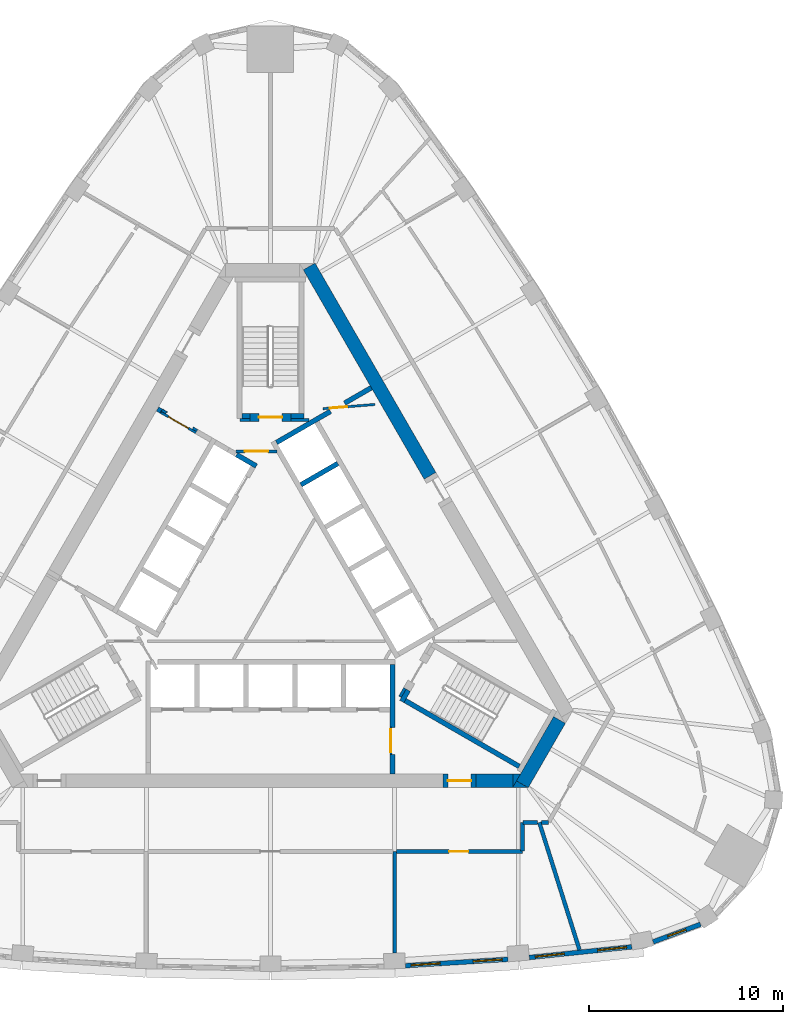
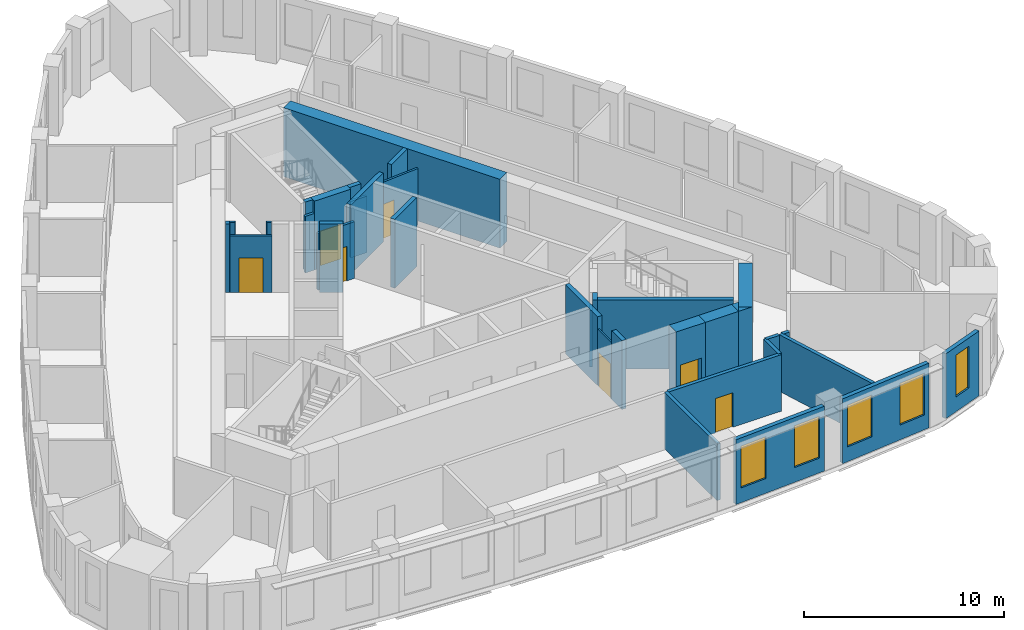
# One storey, part 6 of 11: 36 walls, 7 doors, 5 windows, 12 openings.
"""IFC4 building model written with IfcOpenShell, lengths in metres."""

from ifc_helpers import new_model, si_unit, direction, frame, frame_2d, origin, place, context, subcontext, project, spatial, polyline, rectangle, outline, extrude, material, layer, layer_set, type_object, element, fill, save


model = new_model("IFC4")

# Units and contexts
model_context = context("Model", 3, precision=1e-05, world=origin(), true_north=direction((0.0, 1.0)))
body_context = subcontext(model_context, "Body", "Model", "MODEL_VIEW")
ifc_project = project(units=[si_unit("LENGTHUNIT", "METRE"), si_unit("AREAUNIT", "SQUARE_METRE"), si_unit("VOLUMEUNIT", "CUBIC_METRE"), si_unit("PLANEANGLEUNIT", "RADIAN"), si_unit("MASSUNIT", "GRAM", prefix="KILO")], contexts=[model_context])

# Site, building, storey
site_placement = place(None, origin())
site = spatial("IfcSite", under=ifc_project, at=site_placement, CompositionType="ELEMENT")
building_placement = place(site_placement, origin())
building = spatial("IfcBuilding", under=site, at=building_placement, Name="Mestral Congress Tower", CompositionType="ELEMENT")
storey_placement = place(building_placement, frame((0.0, 0.0, 205.800048828125)))
storey = spatial("IfcBuildingStorey", under=building, at=storey_placement, Name="L48", CompositionType="ELEMENT", Elevation=205.800048828125)

# Walls
ifc_material_1 = material(Name="Fire-rated board partition")
ifc_layer_1 = layer(ifc_material_1, 0.14990234375)
ifc_layer_set_1 = layer_set([ifc_layer_1], Name="Fire-rated board partition")
wall_type_1 = type_object("IfcWallType", Name="Core partition 150", PredefinedType="PARTITIONING", material=ifc_layer_set_1)
wall_1_placement = place(storey_placement, frame((1.050048828125, 8.62548828125, 0.0), z_axis=(0.0, 0.0, 1.0), x_axis=(1.0, 0.0, 0.0)))
element("IfcWall", 1, at=wall_1_placement, inside=storey, type_object=wall_type_1, Name="L48 core wall", PredefinedType="PARTITIONING", context=body_context, shape_type="SweptSolid", body=[
    extrude(rectangle(XDim=0.9287109375, YDim=0.14990234375, at=frame_2d((0.46435546875, 0.0))), origin(), (0.0, 0.0, 1.0), 3.449951171875),
])
wall_2_placement = place(storey_placement, frame((-1.56396484375, 8.62548828125, 0.0), z_axis=(0.0, 0.0, 1.0), x_axis=(1.0, 0.0, 0.0)))
element("IfcWall", 2, at=wall_2_placement, inside=storey, type_object=wall_type_1, Name="L48 core wall", PredefinedType="PARTITIONING", context=body_context, shape_type="SweptSolid", body=[
    extrude(rectangle(XDim=0.513916015625, YDim=0.14990234375, at=frame_2d((0.2568359375, 0.0))), origin(), (0.0, 0.0, 1.0), 3.449951171875),
])
wall_3_placement = place(storey_placement, frame((6.68798828125, -5.667236328125, 0.0), z_axis=(0.0, 0.0, 1.0), x_axis=(0.499834152157, 0.86612113491, 0.0)))
element("IfcWall", 3, at=wall_3_placement, inside=storey, type_object=wall_type_1, Name="L48 core wall", PredefinedType="PARTITIONING", context=body_context, shape_type="SweptSolid", body=[
    extrude(rectangle(XDim=0.504638671875, YDim=0.14990234375, at=frame_2d((0.25244140625, 0.0))), origin(), (0.0, 0.0, 1.0), 3.449951171875),
])

# Wall, opening, door
wall_4_placement = place(storey_placement, frame((-1.765380859375, 7.0, 0.0), z_axis=(0.0, 0.0, 1.0), x_axis=(1.0, 0.0, 0.0)))
wall_4 = element("IfcWall", 4, at=wall_4_placement, inside=storey, type_object=wall_type_1, Name="L48 door wall", PredefinedType="PARTITIONING", context=body_context, shape_type="SweptSolid", body=[
    extrude(rectangle(XDim=2.10009765625, YDim=0.14990234375, at=frame_2d((1.050048828125, 0.0))), origin(), (0.0, 0.0, 1.0), 3.449951171875),
])
opening_1_placement = place(wall_4_placement, frame((0.449951171875, 0.0, 0.0)))
opening_1 = element("IfcOpeningElement", 5, at=opening_1_placement, cuts=wall_4, Name="Opening CD2-FF", PredefinedType="OPENING", context=body_context, shape_type="SweptSolid", body=[
    extrude(rectangle(XDim=1.199951171875, YDim=2.10009765625, at=frame_2d((0.60009765625, 1.050048828125))), frame((0.0, 0.0849609375, 0.0), z_axis=(0.0, -1.0, 0.0), x_axis=(1.0, 0.0, 0.0)), (0.0, 0.0, 1.0), 0.169921875),
])
ifc_material_2 = material(Name="Fire-rated steel door set", Category="steel")
door_type_1 = type_object("IfcDoorType", Name="Core door CD 1200x2100", OperationType="SINGLE_SWING_LEFT", PredefinedType="DOOR", material=ifc_material_2)
door_1_placement = place(opening_1_placement, origin())
door_1 = element("IfcDoor", 6, at=door_1_placement, inside=storey, type_object=door_type_1, Name="Door CD2-FF", OperationType="SINGLE_SWING_LEFT", OverallHeight=2.10009765625, OverallWidth=1.199951171875, PredefinedType="DOOR", context=body_context, shape_type="SweptSolid", body=[
    extrude(rectangle(XDim=1.199951171875, YDim=2.10009765625, at=frame_2d((0.60009765625, 1.050048828125))), frame((0.0, 0.02490234375, 0.0), z_axis=(0.0, -1.0, 0.0), x_axis=(1.0, 0.0, 0.0)), (0.0, 0.0, 1.0), 0.050048828125),
])
fill(opening_1, door_1)

ifc_layer_2 = layer(ifc_material_1, 0.1201171875)
ifc_layer_set_2 = layer_set([ifc_layer_2], Name="Fire-rated board partition")
wall_type_2 = type_object("IfcWallType", Name="Core partition 150 door-wall 120", PredefinedType="PARTITIONING", material=ifc_layer_set_2)
wall_5_placement = place(storey_placement, frame((5.3984375, 9.418701171875, 0.0), z_axis=(0.0, 0.0, 1.0), x_axis=(-0.996653416376, -0.081743303248, 0.0)))
wall_5 = element("IfcWall", 7, at=wall_5_placement, inside=storey, type_object=wall_type_2, Name="L48 door wall", PredefinedType="PARTITIONING", context=body_context, shape_type="SweptSolid", body=[
    extrude(rectangle(XDim=2.699951171875, YDim=0.119873046875, at=frame_2d((1.35009765625, 0.0))), origin(), (0.0, 0.0, 1.0), 3.449951171875),
])
opening_2_placement = place(wall_5_placement, frame((1.449951171875, 0.0, 0.0)))
opening_2 = element("IfcOpeningElement", 8, at=opening_2_placement, cuts=wall_5, Name="Opening TD2", PredefinedType="OPENING", context=body_context, shape_type="SweptSolid", body=[
    extrude(rectangle(XDim=0.89990234375, YDim=2.10009765625, at=frame_2d((0.449951171875, 1.050048828125))), frame((0.0, 0.06982421875, 0.0), z_axis=(0.0, -1.0, 0.0), x_axis=(1.0, 0.0, 0.0)), (0.0, 0.0, 1.0), 0.139892578125),
])
door_type_2 = type_object("IfcDoorType", Name="Core door SR 900x2100", OperationType="SINGLE_SWING_LEFT", PredefinedType="DOOR", material=ifc_material_2)
door_2_placement = place(opening_2_placement, origin())
door_2 = element("IfcDoor", 9, at=door_2_placement, inside=storey, type_object=door_type_2, Name="Door TD2", OperationType="SINGLE_SWING_LEFT", OverallHeight=2.10009765625, OverallWidth=0.89990234375, PredefinedType="DOOR", context=body_context, shape_type="SweptSolid", body=[
    extrude(rectangle(XDim=0.89990234375, YDim=2.10009765625, at=frame_2d((0.449951171875, 1.050048828125))), frame((0.0, 0.02490234375, 0.0), z_axis=(0.0, -1.0, 0.0), x_axis=(1.0, 0.0, 0.0)), (0.0, 0.0, 1.0), 0.050048828125),
])
fill(opening_2, door_2)

wall_6_placement = place(storey_placement, frame((-5.65869140625, 9.01171875, 0.0), z_axis=(0.0, 0.0, 1.0), x_axis=(0.866009402589, -0.500027713859, 0.0)))
wall_6 = element("IfcWall", 10, at=wall_6_placement, inside=storey, type_object=wall_type_2, Name="L48 door wall", PredefinedType="PARTITIONING", context=body_context, shape_type="SweptSolid", body=[
    extrude(rectangle(XDim=2.10009765625, YDim=0.1201171875, at=frame_2d((1.050048828125, 0.0))), origin(), (0.0, 0.0, 1.0), 3.449951171875),
])
opening_3_placement = place(wall_6_placement, frame((0.449951171875, 0.0, 0.0)))
opening_3 = element("IfcOpeningElement", 11, at=opening_3_placement, cuts=wall_6, Name="Opening LB2-WL2", PredefinedType="OPENING", context=body_context, shape_type="SweptSolid", body=[
    extrude(rectangle(XDim=1.199951171875, YDim=2.10009765625, at=frame_2d((0.60009765625, 1.050048828125))), frame((0.0, 0.070068359375, 0.0), z_axis=(0.0, -1.0, 0.0), x_axis=(1.0, 0.0, 0.0)), (0.0, 0.0, 1.0), 0.14013671875),
])
door_type_3 = type_object("IfcDoorType", Name="Core door LB 1200x2100", OperationType="SINGLE_SWING_LEFT", PredefinedType="DOOR", material=ifc_material_2)
door_3_placement = place(opening_3_placement, origin())
door_3 = element("IfcDoor", 12, at=door_3_placement, inside=storey, type_object=door_type_3, Name="Door LB2-WL2", OperationType="SINGLE_SWING_LEFT", OverallHeight=2.10009765625, OverallWidth=1.199951171875, PredefinedType="DOOR", context=body_context, shape_type="SweptSolid", body=[
    extrude(rectangle(XDim=1.199951171875, YDim=2.10009765625, at=frame_2d((0.60009765625, 1.050048828125))), frame((0.0, 0.02490234375, 0.0), z_axis=(0.0, -1.0, 0.0), x_axis=(1.0, 0.0, 0.0)), (0.0, 0.0, 1.0), 0.050048828125),
])
fill(opening_3, door_3)

ifc_layer_3 = layer(ifc_material_1, 0.090087890625)
ifc_layer_set_3 = layer_set([ifc_layer_3], Name="Fire-rated board partition")
wall_type_3 = type_object("IfcWallType", Name="Core partition 150 door-wall 90", PredefinedType="PARTITIONING", material=ifc_layer_set_3)
wall_7_placement = place(storey_placement, frame((6.219970703125, -7.23681640625, 0.0), z_axis=(0.0, 0.0, 1.0), x_axis=(0.0, -1.0, 0.0)))
wall_7 = element("IfcWall", 13, at=wall_7_placement, inside=storey, type_object=wall_type_3, Name="L48 door wall", PredefinedType="PARTITIONING", context=body_context, shape_type="SweptSolid", body=[
    extrude(rectangle(XDim=1.400146484375, YDim=0.090087890625, at=frame_2d((0.7001953125, 0.0))), origin(), (0.0, 0.0, 1.0), 3.449951171875),
])
opening_4_placement = place(wall_7_placement, frame((0.10009765625, 0.0, 0.0)))
opening_4 = element("IfcOpeningElement", 14, at=opening_4_placement, cuts=wall_7, Name="Opening LB0-WL1", PredefinedType="OPENING", context=body_context, shape_type="SweptSolid", body=[
    extrude(rectangle(XDim=1.199951171875, YDim=2.10009765625, at=frame_2d((0.60009765625, 1.050048828125))), frame((0.0, 0.054931640625, 0.0), z_axis=(0.0, -1.0, 0.0), x_axis=(1.0, 0.0, 0.0)), (0.0, 0.0, 1.0), 0.110107421875),
])
door_4_placement = place(opening_4_placement, origin())
door_4 = element("IfcDoor", 15, at=door_4_placement, inside=storey, type_object=door_type_3, Name="Door LB0-WL1", OperationType="SINGLE_SWING_LEFT", OverallHeight=2.10009765625, OverallWidth=1.199951171875, PredefinedType="DOOR", context=body_context, shape_type="SweptSolid", body=[
    extrude(rectangle(XDim=1.199951171875, YDim=2.10009765625, at=frame_2d((0.60009765625, 1.050048828125))), frame((0.0, 0.02490234375, 0.0), z_axis=(0.0, -1.0, 0.0), x_axis=(1.0, 0.0, 0.0)), (0.0, 0.0, 1.0), 0.050048828125),
])
fill(opening_4, door_4)

# Walls
ifc_material_3 = material(Name="Concrete C60/75", Category="concrete")
ifc_layer_4 = layer(ifc_material_3, 0.699951171875)
ifc_layer_set_4 = layer_set([ifc_layer_4], Name="Concrete C60/75")
wall_type_4 = type_object("IfcWallType", Name="Core wall RC 700", PredefinedType="SOLIDWALL", material=ifc_layer_set_4)
wall_8_placement = place(storey_placement, frame((13.002685546875, -10.1787109375, 0.0), z_axis=(0.0, 0.0, 1.0), x_axis=(0.499972675833, 0.866041178825, 0.0)))
element("IfcWall", 16, at=wall_8_placement, inside=storey, type_object=wall_type_4, Name="L48 core wall", PredefinedType="SOLIDWALL", context=body_context, shape_type="SweptSolid", body=[
    extrude(rectangle(XDim=3.828857421875, YDim=0.699951171875, at=frame_2d((1.91455078125, 0.0))), origin(), (0.0, 0.0, 1.0), 4.199951171875),
])
placement = place(storey_placement, origin())
element("IfcWall", 17, at=placement, inside=storey, type_object=wall_type_4, Name="L48 core wall", PredefinedType="SOLIDWALL", context=body_context, shape_type="SweptSolid", body=[
    extrude(outline(polyline([(12.698486328125, -10.00537109375), (13.295654296875, -10.35009765625), (12.49951171875, -10.35009765625), (12.698486328125, -10.00537109375)])), origin(), (0.0, 0.0, 1.0), 4.199951171875),
])
wall_10_placement = place(storey_placement, frame((10.6044921875, -10.0, 0.0), z_axis=(0.0, 0.0, 1.0), x_axis=(1.0, 0.0, 0.0)))
element("IfcWall", 18, at=wall_10_placement, inside=storey, type_object=wall_type_4, Name="L48 core wall", PredefinedType="SOLIDWALL", context=body_context, shape_type="SweptSolid", body=[
    extrude(rectangle(XDim=1.909423828125, YDim=0.699951171875, at=frame_2d((0.95458984375, 0.0))), origin(), (0.0, 0.0, 1.0), 4.199951171875),
])
element("IfcWall", 19, at=placement, inside=storey, type_object=wall_type_4, Name="L48 core wall", PredefinedType="SOLIDWALL", context=body_context, shape_type="SweptSolid", body=[
    extrude(outline(polyline([(12.90380859375, -9.64990234375), (12.515869140625, -10.322021484375), (12.515869140625, -9.64990234375), (12.90380859375, -9.64990234375)])), origin(), (0.0, 0.0, 1.0), 4.199951171875),
])
wall_12_placement = place(storey_placement, frame((8.235107421875, 5.736083984375, 0.0), z_axis=(0.0, 0.0, 1.0), x_axis=(-0.499983401189, 0.8660349869, 0.0)))
element("IfcWall", 20, at=wall_12_placement, inside=storey, type_object=wall_type_4, Name="L48 core wall", PredefinedType="SOLIDWALL", context=body_context, shape_type="SweptSolid", body=[
    extrude(rectangle(XDim=12.47216796875, YDim=0.699951171875, at=frame_2d((6.236083984375, 0.0))), origin(), (0.0, 0.0, 1.0), 4.199951171875),
])

# Wall, opening, door
wall_13_placement = place(storey_placement, frame((10.6044921875, -10.0, 0.0), z_axis=(0.0, 0.0, 1.0), x_axis=(-1.0, 0.0, 0.0)))
wall_13 = element("IfcWall", 21, at=wall_13_placement, inside=storey, type_object=wall_type_4, Name="L48 door wall", PredefinedType="SOLIDWALL", context=body_context, shape_type="SweptSolid", body=[
    extrude(rectangle(XDim=1.699951171875, YDim=0.699951171875, at=frame_2d((0.85009765625, 0.0))), origin(), (0.0, 0.0, 1.0), 4.199951171875),
])
opening_5_placement = place(wall_13_placement, frame((0.25, 0.0, 0.0)))
opening_5 = element("IfcOpeningElement", 22, at=opening_5_placement, cuts=wall_13, Name="Opening XD1", PredefinedType="OPENING", context=body_context, shape_type="SweptSolid", body=[
    extrude(rectangle(XDim=1.199951171875, YDim=2.10009765625, at=frame_2d((0.60009765625, 1.050048828125))), frame((0.0, 0.35986328125, 0.0), z_axis=(0.0, -1.0, 0.0), x_axis=(1.0, 0.0, 0.0)), (0.0, 0.0, 1.0), 0.719970703125),
])
door_type_4 = type_object("IfcDoorType", Name="Core door XD 1200x2100", OperationType="SINGLE_SWING_LEFT", PredefinedType="DOOR", material=ifc_material_2)
door_5_placement = place(opening_5_placement, origin())
door_5 = element("IfcDoor", 23, at=door_5_placement, inside=storey, type_object=door_type_4, Name="Door XD1", OperationType="SINGLE_SWING_LEFT", OverallHeight=2.10009765625, OverallWidth=1.199951171875, PredefinedType="DOOR", context=body_context, shape_type="SweptSolid", body=[
    extrude(rectangle(XDim=1.199951171875, YDim=2.10009765625, at=frame_2d((0.60009765625, 1.050048828125))), frame((0.0, 0.02490234375, 0.0), z_axis=(0.0, -1.0, 0.0), x_axis=(1.0, 0.0, 0.0)), (0.0, 0.0, 1.0), 0.050048828125),
])
fill(opening_5, door_5)

# Wall, openings, windows
ifc_material_4 = material(Name="Precast concrete C40/50 with limestone facing", Category="masonry")
ifc_layer_5 = layer(ifc_material_4, 0.239990234375)
ifc_layer_set_5 = layer_set([ifc_layer_5], Name="Precast concrete C40/50 with limestone facing")
wall_type_5 = type_object("IfcWallType", Name="Facade stone wall 240", PredefinedType="SOLIDWALL", material=ifc_layer_set_5)
wall_14_placement = place(storey_placement, frame((6.965087890625, -19.54296875, 0.0), z_axis=(0.0, 0.0, 1.0), x_axis=(0.9980633213, 0.062206162685, 0.0)))
wall_14 = element("IfcWall", 24, at=wall_14_placement, inside=storey, type_object=wall_type_5, Name="Facade wall F0-04", PredefinedType="SOLIDWALL", context=body_context, shape_type="SweptSolid", body=[
    extrude(rectangle(XDim=5.29833984375, YDim=0.239990234375, at=frame_2d((2.649169921875, 0.0))), origin(), (0.0, 0.0, 1.0), 3.949951171875),
])
opening_6_placement = place(wall_14_placement, frame((0.294677734375, 0.0, 0.89990234375)))
opening_6 = element("IfcOpeningElement", 25, at=opening_6_placement, cuts=wall_14, Name="Opening W4", PredefinedType="OPENING", context=body_context, shape_type="SweptSolid", body=[
    extrude(rectangle(XDim=1.5, YDim=2.550048828125, at=frame_2d((0.75, 1.27490234375))), frame((0.0, 0.1298828125, 0.0), z_axis=(0.0, -1.0, 0.0), x_axis=(1.0, 0.0, 0.0)), (0.0, 0.0, 1.0), 0.260009765625),
])
opening_7_placement = place(wall_14_placement, frame((3.503662109375, 0.0, 0.89990234375)))
opening_7 = element("IfcOpeningElement", 26, at=opening_7_placement, cuts=wall_14, Name="Opening W4", PredefinedType="OPENING", context=body_context, shape_type="SweptSolid", body=[
    extrude(rectangle(XDim=1.5, YDim=2.550048828125, at=frame_2d((0.75, 1.27490234375))), frame((0.0, 0.1298828125, 0.0), z_axis=(0.0, -1.0, 0.0), x_axis=(1.0, 0.0, 0.0)), (0.0, 0.0, 1.0), 0.260009765625),
])
ifc_material_5 = material(Name="Clear low-emissivity double glazing", Category="glass")
window_type_1 = type_object("IfcWindowType", Name="Facade punched window 1500 x 2550 sill 900", PartitioningType="SINGLE_PANEL", PredefinedType="WINDOW", material=ifc_material_5)
window_1_placement = place(opening_6_placement, origin())
window_1 = element("IfcWindow", 27, at=window_1_placement, inside=storey, type_object=window_type_1, Name="Window F0-04a", OverallHeight=2.550048828125, OverallWidth=1.5, PartitioningType="SINGLE_PANEL", PredefinedType="WINDOW", context=body_context, shape_type="SweptSolid", body=[
    extrude(rectangle(XDim=1.5, YDim=2.550048828125, at=frame_2d((0.75, 1.27490234375))), frame((0.0, 0.0400390625, 0.0), z_axis=(0.0, -1.0, 0.0), x_axis=(1.0, 0.0, 0.0)), (0.0, 0.0, 1.0), 0.06005859375),
])
fill(opening_6, window_1)
window_2_placement = place(opening_7_placement, origin())
window_2 = element("IfcWindow", 28, at=window_2_placement, inside=storey, type_object=window_type_1, Name="Window F0-04b", OverallHeight=2.550048828125, OverallWidth=1.5, PartitioningType="SINGLE_PANEL", PredefinedType="WINDOW", context=body_context, shape_type="SweptSolid", body=[
    extrude(rectangle(XDim=1.5, YDim=2.550048828125, at=frame_2d((0.75, 1.27490234375))), frame((0.0, 0.0400390625, 0.0), z_axis=(0.0, -1.0, 0.0), x_axis=(1.0, 0.0, 0.0)), (0.0, 0.0, 1.0), 0.06005859375),
])
fill(opening_7, window_2)

wall_15_placement = place(storey_placement, frame((13.362060546875, -19.12109375, 0.0), z_axis=(0.0, 0.0, 1.0), x_axis=(0.994621961215, 0.103571976272, 0.0)))
wall_15 = element("IfcWall", 29, at=wall_15_placement, inside=storey, type_object=wall_type_5, Name="Facade wall F0-05", PredefinedType="SOLIDWALL", context=body_context, shape_type="SweptSolid", body=[
    extrude(rectangle(XDim=5.310791015625, YDim=0.239990234375, at=frame_2d((2.6552734375, 0.0))), origin(), (0.0, 0.0, 1.0), 3.949951171875),
])
opening_8_placement = place(wall_15_placement, frame((0.306396484375, 0.0, 0.89990234375)))
opening_8 = element("IfcOpeningElement", 30, at=opening_8_placement, cuts=wall_15, Name="Opening W4", PredefinedType="OPENING", context=body_context, shape_type="SweptSolid", body=[
    extrude(rectangle(XDim=1.5, YDim=2.550048828125, at=frame_2d((0.75, 1.27490234375))), frame((0.0, 0.1298828125, 0.0), z_axis=(0.0, -1.0, 0.0), x_axis=(1.0, 0.0, 0.0)), (0.0, 0.0, 1.0), 0.260009765625),
])
opening_9_placement = place(wall_15_placement, frame((3.539306640625, 0.0, 0.89990234375)))
opening_9 = element("IfcOpeningElement", 31, at=opening_9_placement, cuts=wall_15, Name="Opening W4", PredefinedType="OPENING", context=body_context, shape_type="SweptSolid", body=[
    extrude(rectangle(XDim=1.5, YDim=2.550048828125, at=frame_2d((0.75, 1.27490234375))), frame((0.0, 0.1298828125, 0.0), z_axis=(0.0, -1.0, 0.0), x_axis=(1.0, 0.0, 0.0)), (0.0, 0.0, 1.0), 0.260009765625),
])
window_3_placement = place(opening_8_placement, origin())
window_3 = element("IfcWindow", 32, at=window_3_placement, inside=storey, type_object=window_type_1, Name="Window F0-05a", OverallHeight=2.550048828125, OverallWidth=1.5, PartitioningType="SINGLE_PANEL", PredefinedType="WINDOW", context=body_context, shape_type="SweptSolid", body=[
    extrude(rectangle(XDim=1.5, YDim=2.550048828125, at=frame_2d((0.75, 1.27490234375))), frame((0.0, 0.0400390625, 0.0), z_axis=(0.0, -1.0, 0.0), x_axis=(1.0, 0.0, 0.0)), (0.0, 0.0, 1.0), 0.06005859375),
])
fill(opening_8, window_3)
window_4_placement = place(opening_9_placement, origin())
window_4 = element("IfcWindow", 33, at=window_4_placement, inside=storey, type_object=window_type_1, Name="Window F0-05b", OverallHeight=2.550048828125, OverallWidth=1.5, PartitioningType="SINGLE_PANEL", PredefinedType="WINDOW", context=body_context, shape_type="SweptSolid", body=[
    extrude(rectangle(XDim=1.5, YDim=2.550048828125, at=frame_2d((0.75, 1.27490234375))), frame((0.0, 0.0400390625, 0.0), z_axis=(0.0, -1.0, 0.0), x_axis=(1.0, 0.0, 0.0)), (0.0, 0.0, 1.0), 0.06005859375),
])
fill(opening_9, window_4)

# Wall, opening, window
wall_16_placement = place(storey_placement, frame((19.747802734375, -18.31396484375, 0.0), z_axis=(0.0, 0.0, 1.0), x_axis=(0.937569171184, 0.347798863203, 0.0)))
wall_16 = element("IfcWall", 34, at=wall_16_placement, inside=storey, type_object=wall_type_5, Name="Facade wall K0-0", PredefinedType="SOLIDWALL", context=body_context, shape_type="SweptSolid", body=[
    extrude(rectangle(XDim=2.609130859375, YDim=0.239990234375, at=frame_2d((1.3046875, 0.0))), origin(), (0.0, 0.0, 1.0), 3.949951171875),
])
opening_10_placement = place(wall_16_placement, frame((0.8046875, 0.0, 0.89990234375)))
opening_10 = element("IfcOpeningElement", 35, at=opening_10_placement, cuts=wall_16, Name="Opening W5", PredefinedType="OPENING", context=body_context, shape_type="SweptSolid", body=[
    extrude(rectangle(XDim=1.0, YDim=2.550048828125, at=frame_2d((0.5, 1.27490234375))), frame((0.0, 0.1298828125, 0.0), z_axis=(0.0, -1.0, 0.0), x_axis=(1.0, 0.0, 0.0)), (0.0, 0.0, 1.0), 0.260009765625),
])
window_type_2 = type_object("IfcWindowType", Name="Facade punched window 1000 x 2550 sill 900", PartitioningType="SINGLE_PANEL", PredefinedType="WINDOW", material=ifc_material_5)
window_5_placement = place(opening_10_placement, origin())
window_5 = element("IfcWindow", 36, at=window_5_placement, inside=storey, type_object=window_type_2, Name="Window K0-0", OverallHeight=2.550048828125, OverallWidth=1.0, PartitioningType="SINGLE_PANEL", PredefinedType="WINDOW", context=body_context, shape_type="SweptSolid", body=[
    extrude(rectangle(XDim=1.0, YDim=2.550048828125, at=frame_2d((0.5, 1.27490234375))), frame((0.0, 0.0400390625, 0.0), z_axis=(0.0, -1.0, 0.0), x_axis=(1.0, 0.0, 0.0)), (0.0, 0.0, 1.0), 0.06005859375),
])
fill(opening_10, window_5)

# Walls
ifc_material_6 = material(Name="Dense masonry wall, plastered", Category="masonry")
ifc_layer_6 = layer(ifc_material_6, 0.199951171875)
ifc_layer_set_6 = layer_set([ifc_layer_6], Name="Dense masonry wall, plastered")
wall_type_6 = type_object("IfcWallType", Name="Office tenancy wall 200", PredefinedType="PARTITIONING", material=ifc_layer_set_6)
wall_17_placement = place(storey_placement, frame((6.416748046875, -13.64990234375, 0.0), z_axis=(0.0, 0.0, 1.0), x_axis=(0.0, -1.0, 0.0)))
element("IfcWall", 37, at=wall_17_placement, inside=storey, type_object=wall_type_6, Name="Tenancy wall", PredefinedType="PARTITIONING", context=body_context, shape_type="SweptSolid", body=[
    extrude(rectangle(XDim=5.246826171875, YDim=0.199951171875, at=frame_2d((2.62353515625, 0.0))), origin(), (0.0, 0.0, 1.0), 3.449951171875),
])
wall_18_placement = place(storey_placement, frame((13.875244140625, -12.14990234375, 0.0), z_axis=(0.0, 0.0, 1.0), x_axis=(0.3005606746, -0.953762696316, 0.0)))
element("IfcWall", 38, at=wall_18_placement, inside=storey, type_object=wall_type_6, Name="Tenancy wall", PredefinedType="PARTITIONING", context=body_context, shape_type="SweptSolid", body=[
    extrude(rectangle(XDim=6.900390625, YDim=0.199951171875, at=frame_2d((3.4501953125, 0.0))), origin(), (0.0, 0.0, 1.0), 3.449951171875),
])

# Wall, opening, door
wall_19_placement = place(storey_placement, frame((6.516845703125, -13.64990234375, 0.0), z_axis=(0.0, 0.0, 1.0), x_axis=(1.0, 0.0, 0.0)))
wall_19 = element("IfcWall", 39, at=wall_19_placement, inside=storey, type_object=wall_type_6, Name="Tenancy wall", PredefinedType="PARTITIONING", context=body_context, shape_type="SweptSolid", body=[
    extrude(rectangle(XDim=6.483154296875, YDim=0.199951171875, at=frame_2d((3.24169921875, 0.0))), origin(), (0.0, 0.0, 1.0), 3.449951171875),
])
opening_11_placement = place(wall_19_placement, frame((2.699951171875, 0.0, 0.0)))
opening_11 = element("IfcOpeningElement", 40, at=opening_11_placement, cuts=wall_19, Name="Opening O06-003", PredefinedType="OPENING", context=body_context, shape_type="SweptSolid", body=[
    extrude(rectangle(XDim=1.0, YDim=2.10009765625, at=frame_2d((0.5, 1.050048828125))), frame((0.0, 0.10986328125, 0.0), z_axis=(0.0, -1.0, 0.0), x_axis=(1.0, 0.0, 0.0)), (0.0, 0.0, 1.0), 0.219970703125),
])
ifc_material_7 = material(Name="Fire-rated timber door set", Category="wood")
door_type_5 = type_object("IfcDoorType", Name="Office tenancy entrance door 1000x2100", OperationType="SINGLE_SWING_LEFT", PredefinedType="DOOR", material=ifc_material_7)
door_6_placement = place(opening_11_placement, origin())
door_6 = element("IfcDoor", 41, at=door_6_placement, inside=storey, type_object=door_type_5, Name="Door O06-003", OperationType="SINGLE_SWING_LEFT", OverallHeight=2.10009765625, OverallWidth=1.0, PredefinedType="DOOR", context=body_context, shape_type="SweptSolid", body=[
    extrude(rectangle(XDim=1.0, YDim=2.10009765625, at=frame_2d((0.5, 1.050048828125))), frame((0.0, 0.02490234375, 0.0), z_axis=(0.0, -1.0, 0.0), x_axis=(1.0, 0.0, 0.0)), (0.0, 0.0, 1.0), 0.050048828125),
])
fill(opening_11, door_6)

# Walls
wall_20_placement = place(storey_placement, frame((13.0, -13.6201171875, 0.0), z_axis=(0.0, 0.0, 1.0), x_axis=(0.0, 1.0, 0.0)))
element("IfcWall", 42, at=wall_20_placement, inside=storey, type_object=wall_type_6, Name="Tenancy wall", PredefinedType="PARTITIONING", context=body_context, shape_type="SweptSolid", body=[
    extrude(rectangle(XDim=1.47021484375, YDim=0.199951171875, at=frame_2d((0.735107421875, 0.0))), origin(), (0.0, 0.0, 1.0), 3.449951171875),
])
wall_21_placement = place(storey_placement, frame((13.030029296875, -12.14990234375, 0.0), z_axis=(0.0, 0.0, 1.0), x_axis=(1.0, 0.0, 0.0)))
element("IfcWall", 43, at=wall_21_placement, inside=storey, type_object=wall_type_6, Name="Tenancy wall", PredefinedType="PARTITIONING", context=body_context, shape_type="SweptSolid", body=[
    extrude(rectangle(XDim=0.740234375, YDim=0.199951171875, at=frame_2d((0.3701171875, 0.0))), origin(), (0.0, 0.0, 1.0), 3.449951171875),
])
wall_22_placement = place(storey_placement, frame((13.97998046875, -12.14990234375, 0.0), z_axis=(0.0, 0.0, 1.0), x_axis=(1.0, 0.0, 0.0)))
element("IfcWall", 44, at=wall_22_placement, inside=storey, type_object=wall_type_6, Name="Tenancy wall", PredefinedType="PARTITIONING", context=body_context, shape_type="SweptSolid", body=[
    extrude(rectangle(XDim=0.3671875, YDim=0.199951171875, at=frame_2d((0.18359375, 0.0))), origin(), (0.0, 0.0, 1.0), 3.449951171875),
])
ifc_layer_7 = layer(ifc_material_3, 0.25)
ifc_layer_set_7 = layer_set([ifc_layer_7], Name="Concrete C60/75")
wall_type_7 = type_object("IfcWallType", Name="Shaft wall RC 250", PredefinedType="SOLIDWALL", material=ifc_layer_set_7)
wall_23_placement = place(storey_placement, frame((6.300048828125, -7.239990234375, 0.0), z_axis=(0.0, 0.0, 1.0), x_axis=(0.0, 1.0, 0.0)))
element("IfcWall", 45, at=wall_23_placement, inside=storey, type_object=wall_type_7, Name="L48 core wall", PredefinedType="SOLIDWALL", context=body_context, shape_type="SweptSolid", body=[
    extrude(rectangle(XDim=3.239990234375, YDim=0.25, at=frame_2d((1.6201171875, 0.0))), origin(), (0.0, 0.0, 1.0), 4.199951171875),
])
wall_24_placement = place(storey_placement, frame((6.300048828125, -9.64990234375, 0.0), z_axis=(0.0, 0.0, 1.0), x_axis=(0.0, 1.0, 0.0)))
element("IfcWall", 46, at=wall_24_placement, inside=storey, type_object=wall_type_7, Name="L48 core wall", PredefinedType="SOLIDWALL", context=body_context, shape_type="SweptSolid", body=[
    extrude(rectangle(XDim=1.0078125, YDim=0.25, at=frame_2d((0.50390625, 0.0))), origin(), (0.0, 0.0, 1.0), 4.199951171875),
])
wall_25_placement = place(storey_placement, frame((3.10009765625, 9.064453125, 0.0), z_axis=(0.0, 0.0, 1.0), x_axis=(-0.866030133475, -0.499991807846, 0.0)))
element("IfcWall", 47, at=wall_25_placement, inside=storey, type_object=wall_type_7, Name="L48 core wall", PredefinedType="SOLIDWALL", context=body_context, shape_type="SweptSolid", body=[
    extrude(rectangle(XDim=3.216796875, YDim=0.25, at=frame_2d((1.6083984375, 0.0))), origin(), (0.0, 0.0, 1.0), 4.199951171875),
])
wall_26_placement = place(storey_placement, frame((1.57421875, 5.273681640625, 0.0), z_axis=(0.0, 0.0, 1.0), x_axis=(0.866028486751, 0.499994660107, 0.0)))
element("IfcWall", 48, at=wall_26_placement, inside=storey, type_object=wall_type_7, Name="L48 core wall", PredefinedType="SOLIDWALL", context=body_context, shape_type="SweptSolid", body=[
    extrude(rectangle(XDim=2.19970703125, YDim=0.25, at=frame_2d((1.099853515625, 0.0))), origin(), (0.0, 0.0, 1.0), 4.199951171875),
])
wall_27_placement = place(storey_placement, frame((3.82958984375, 9.485595703125, 0.0), z_axis=(0.0, 0.0, 1.0), x_axis=(0.865986202621, 0.500067892261, 0.0)))
element("IfcWall", 49, at=wall_27_placement, inside=storey, type_object=wall_type_7, Name="L48 core wall", PredefinedType="SOLIDWALL", context=body_context, shape_type="SweptSolid", body=[
    extrude(rectangle(XDim=1.590576171875, YDim=0.25, at=frame_2d((0.79541015625, 0.0))), origin(), (0.0, 0.0, 1.0), 4.199951171875),
])
wall_28_placement = place(storey_placement, frame((-0.7275390625, 6.23974609375, 0.0), z_axis=(0.0, 0.0, 1.0), x_axis=(-0.866002680491, 0.500039355833, 0.0)))
element("IfcWall", 50, at=wall_28_placement, inside=storey, type_object=wall_type_7, Name="L48 core wall", PredefinedType="SOLIDWALL", context=body_context, shape_type="SweptSolid", body=[
    extrude(rectangle(XDim=1.17822265625, YDim=0.25, at=frame_2d((0.589111328125, 0.0))), origin(), (0.0, 0.0, 1.0), 4.199951171875),
])
wall_29_placement = place(storey_placement, frame((-5.62939453125, 9.06982421875, 0.0), z_axis=(0.0, 0.0, 1.0), x_axis=(-0.866185586049, 0.49972245349, 0.0)))
element("IfcWall", 51, at=wall_29_placement, inside=storey, type_object=wall_type_7, Name="L48 core wall", PredefinedType="SOLIDWALL", context=body_context, shape_type="SweptSolid", body=[
    extrude(rectangle(XDim=0.2197265625, YDim=0.25, at=frame_2d((0.10986328125, 0.0))), origin(), (0.0, 0.0, 1.0), 4.199951171875),
])
element("IfcWall", 52, at=placement, inside=storey, type_object=wall_type_7, Name="L48 core wall", PredefinedType="SOLIDWALL", context=body_context, shape_type="SweptSolid", body=[
    extrude(outline(polyline([(-3.748291015625, 8.128173828125), (-3.813232421875, 8.015380859375), (-4.026611328125, 8.138671875), (-4.0166015625, 8.156005859375), (-4.007568359375, 8.17333984375), (-4.000244140625, 8.191650390625), (-3.994873046875, 8.21044921875), (-3.991455078125, 8.229736328125), (-3.98974609375, 8.24951171875), (-3.989990234375, 8.267822265625), (-3.748291015625, 8.128173828125)])), origin(), (0.0, 0.0, 1.0), 4.199951171875),
])
element("IfcWall", 53, at=placement, inside=storey, type_object=wall_type_7, Name="L48 core wall", PredefinedType="SOLIDWALL", context=body_context, shape_type="SweptSolid", body=[
    extrude(outline(polyline([(-5.688720703125, 8.959716796875), (-5.690185546875, 8.960693359375), (-5.565185546875, 9.177001953125), (-5.318603515625, 9.03466796875), (-5.334716796875, 9.02587890625), (-5.3505859375, 9.0146484375), (-5.36572265625, 9.001953125), (-5.37939453125, 8.98779296875), (-5.3916015625, 8.972412109375), (-5.402099609375, 8.955810546875), (-5.412109375, 8.938720703125), (-5.628662109375, 9.063720703125), (-5.628662109375, 9.063720703125), (-5.688720703125, 8.959716796875)])), origin(), (0.0, 0.0, 1.0), 4.199951171875),
])
ifc_layer_8 = layer(ifc_material_3, 0.25)
ifc_layer_set_8 = layer_set([ifc_layer_8], Name="Concrete C60/75")
wall_type_8 = type_object("IfcWallType", Name="Stair wall RC 250", PredefinedType="SOLIDWALL", material=ifc_layer_set_8)
wall_32_placement = place(storey_placement, frame((12.83984375, -9.2607421875, 0.0), z_axis=(0.0, 0.0, 1.0), x_axis=(-0.866013990052, 0.500019768644, 0.0)))
element("IfcWall", 54, at=wall_32_placement, inside=storey, type_object=wall_type_8, Name="L48 core wall", PredefinedType="SOLIDWALL", context=body_context, shape_type="SweptSolid", body=[
    extrude(rectangle(XDim=6.800048828125, YDim=0.25, at=frame_2d((3.39990234375, 0.0))), origin(), (0.0, 0.0, 1.0), 4.199951171875),
])
wall_33_placement = place(storey_placement, frame((7.11279296875, -5.330078125, 0.0), z_axis=(0.0, 0.0, 1.0), x_axis=(-0.499965889992, -0.866045096311, 0.0)))
element("IfcWall", 55, at=wall_33_placement, inside=storey, type_object=wall_type_8, Name="L48 core wall", PredefinedType="SOLIDWALL", context=body_context, shape_type="SweptSolid", body=[
    extrude(rectangle(XDim=0.66552734375, YDim=0.25, at=frame_2d((0.332763671875, 0.0))), origin(), (0.0, 0.0, 1.0), 4.199951171875),
])
wall_34_placement = place(storey_placement, frame((1.050048828125, 8.824951171875, 0.0), z_axis=(0.0, 0.0, 1.0), x_axis=(1.0, 0.0, 0.0)))
element("IfcWall", 56, at=wall_34_placement, inside=storey, type_object=wall_type_8, Name="L48 core wall", PredefinedType="SOLIDWALL", context=body_context, shape_type="SweptSolid", body=[
    extrude(rectangle(XDim=0.675048828125, YDim=0.25, at=frame_2d((0.33740234375, 0.0))), origin(), (0.0, 0.0, 1.0), 4.199951171875),
])
wall_35_placement = place(storey_placement, frame((-1.47509765625, 8.824951171875, 0.0), z_axis=(0.0, 0.0, 1.0), x_axis=(1.0, 0.0, 0.0)))
element("IfcWall", 57, at=wall_35_placement, inside=storey, type_object=wall_type_8, Name="L48 core wall", PredefinedType="SOLIDWALL", context=body_context, shape_type="SweptSolid", body=[
    extrude(rectangle(XDim=0.425048828125, YDim=0.25, at=frame_2d((0.21240234375, 0.0))), origin(), (0.0, 0.0, 1.0), 4.199951171875),
])

# Wall, opening, door
ifc_layer_9 = layer(ifc_material_3, 0.39990234375)
ifc_layer_set_9 = layer_set([ifc_layer_9], Name="Concrete C60/75")
wall_type_9 = type_object("IfcWallType", Name="Stair wall RC 250 door-wall 400", PredefinedType="SOLIDWALL", material=ifc_layer_set_9)
wall_36_placement = place(storey_placement, frame((1.050048828125, 8.75, 0.0), z_axis=(0.0, 0.0, 1.0), x_axis=(-1.0, 0.0, 0.0)))
wall_36 = element("IfcWall", 58, at=wall_36_placement, inside=storey, type_object=wall_type_9, Name="L48 door wall", PredefinedType="SOLIDWALL", context=body_context, shape_type="SweptSolid", body=[
    extrude(rectangle(XDim=2.10009765625, YDim=0.39990234375, at=frame_2d((1.050048828125, 0.0))), origin(), (0.0, 0.0, 1.0), 4.199951171875),
])
opening_12_placement = place(wall_36_placement, frame((0.449951171875, 0.0, 0.0)))
opening_12 = element("IfcOpeningElement", 59, at=opening_12_placement, cuts=wall_36, Name="Opening ST-D2", PredefinedType="OPENING", context=body_context, shape_type="SweptSolid", body=[
    extrude(rectangle(XDim=1.199951171875, YDim=2.10009765625, at=frame_2d((0.60009765625, 1.050048828125))), frame((0.0, 0.2099609375, 0.0), z_axis=(0.0, -1.0, 0.0), x_axis=(1.0, 0.0, 0.0)), (0.0, 0.0, 1.0), 0.419921875),
])
door_type_6 = type_object("IfcDoorType", Name="Core door ST 1200x2100", OperationType="SINGLE_SWING_LEFT", PredefinedType="DOOR", material=ifc_material_2)
door_7_placement = place(opening_12_placement, origin())
door_7 = element("IfcDoor", 60, at=door_7_placement, inside=storey, type_object=door_type_6, Name="Door ST-D2", OperationType="SINGLE_SWING_LEFT", OverallHeight=2.10009765625, OverallWidth=1.199951171875, PredefinedType="DOOR", context=body_context, shape_type="SweptSolid", body=[
    extrude(rectangle(XDim=1.199951171875, YDim=2.10009765625, at=frame_2d((0.60009765625, 1.050048828125))), frame((0.0, 0.02490234375, 0.0), z_axis=(0.0, -1.0, 0.0), x_axis=(1.0, 0.0, 0.0)), (0.0, 0.0, 1.0), 0.050048828125),
])
fill(opening_12, door_7)

save(model, "model.ifc")
